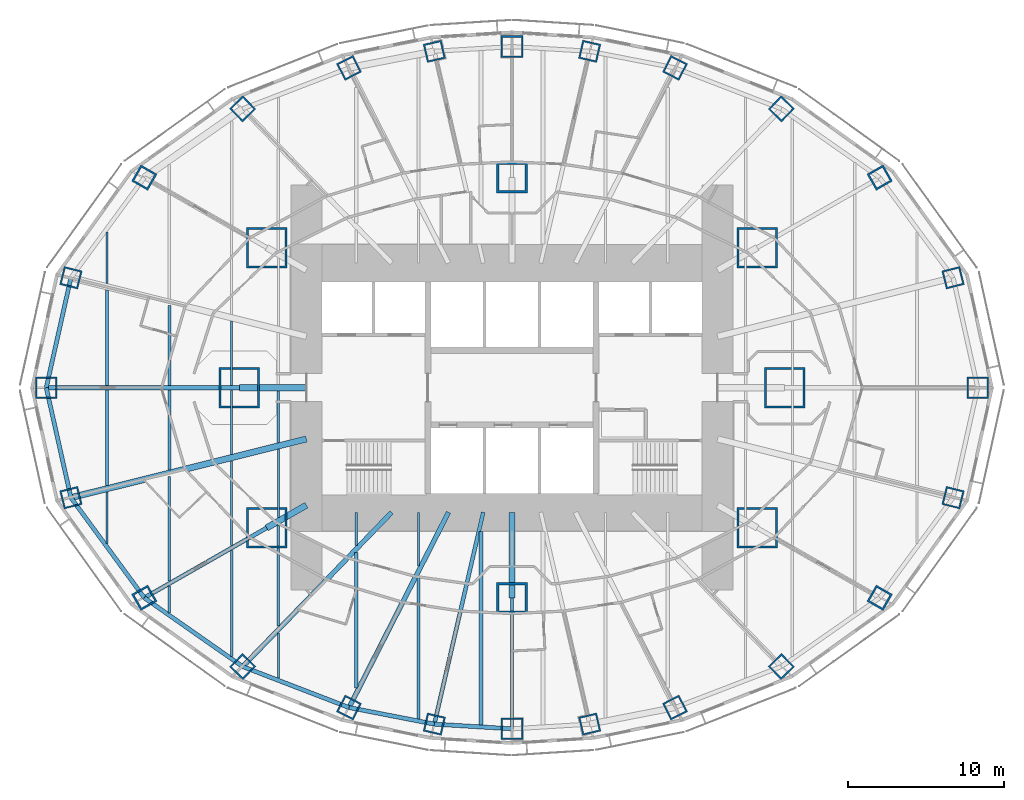
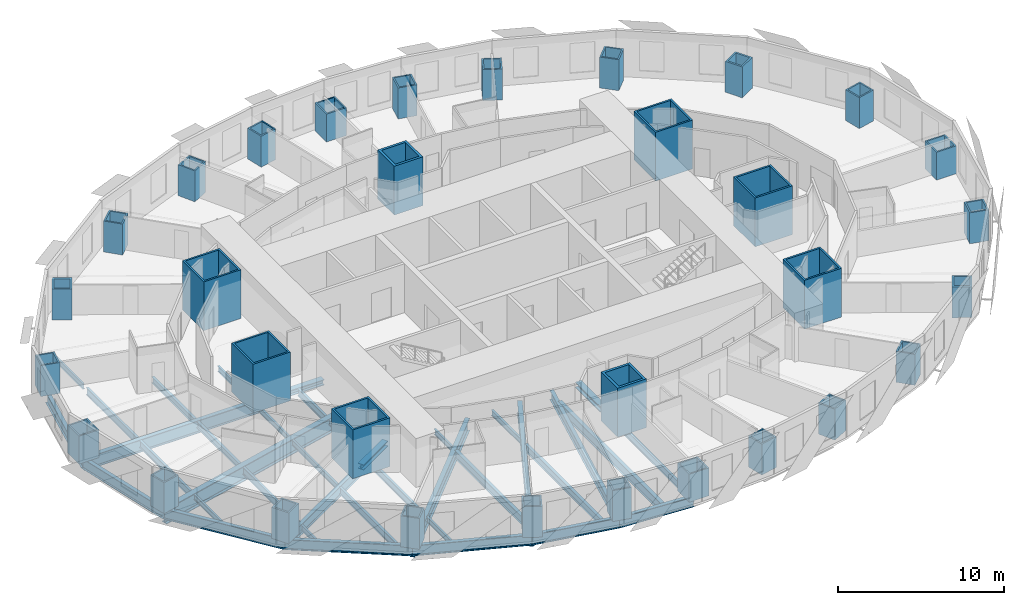
# One storey, part 1 of 15: 38 beams, 32 columns.
"""IFC4 building model written with IfcOpenShell, lengths in metres."""

from ifc_helpers import new_model, si_unit, direction, frame, origin, origin_2d, place, context, subcontext, project, spatial, rectangle, hollow_rectangle, i_section, extrude, material, material_profile, profile_set, type_object, element, save


model = new_model("IFC4")

# Units and contexts
model_context = context("Model", 3, precision=1e-05, world=origin(), true_north=direction((0.0, 1.0)))
body_context = subcontext(model_context, "Body", "Model", "MODEL_VIEW")
ifc_project = project(units=[si_unit("LENGTHUNIT", "METRE"), si_unit("AREAUNIT", "SQUARE_METRE"), si_unit("VOLUMEUNIT", "CUBIC_METRE"), si_unit("PLANEANGLEUNIT", "RADIAN"), si_unit("MASSUNIT", "GRAM", prefix="KILO")], contexts=[model_context])

# Site, building, storey
site_placement = place(None, origin())
site = spatial("IfcSite", under=ifc_project, at=site_placement, CompositionType="ELEMENT")
building_placement = place(site_placement, origin())
building = spatial("IfcBuilding", under=site, at=building_placement, Name="Lantaw Convention Tower", CompositionType="ELEMENT")
storey_placement = place(building_placement, frame((0.0, 0.0, 101.800048828125)))
storey = spatial("IfcBuildingStorey", under=building, at=storey_placement, Name="L24", CompositionType="ELEMENT", Elevation=101.800048828125)

# Columns
ifc_material_1 = material(Name="Steel EN 10025-3 S460N", Category="steel")
ifc_material_profile_1 = material_profile(ifc_material_1, hollow_rectangle(XDim=2.0, YDim=2.0, WallThickness=0.169921875, at=origin_2d()), Name="BOX2000X170")
ifc_material_2 = material(Name="Concrete C60/75", Category="concrete")
ifc_material_profile_2 = material_profile(ifc_material_2, rectangle(XDim=1.659912109375, YDim=1.659912109375, at=origin_2d()), Name="Concrete fill of BOX2000X170")
ifc_profile_set_1 = profile_set([ifc_material_profile_1, ifc_material_profile_2], Name="Steel EN 10025-3 S460N")
column_type_1 = type_object("IfcColumnType", Name="Column MC BOX2000X170", PredefinedType="COLUMN", material=ifc_profile_set_1)
for number, where, z_axis, x_axis, name in (
    (1, (0.0, 13.5, 0.0), (0.0, 0.0, 1.0), (1.0, 0.0, 0.0), "Mega column M3"),
    (2, (0.0, -13.5, 0.0), (0.0, 0.0, 1.0), (1.0, 0.0, 0.0), "Mega column M7"),
):
    element("IfcColumn", number, at=place(storey_placement, frame(where, z_axis=z_axis, x_axis=x_axis)), inside=storey, type_object=column_type_1, Name=name, PredefinedType="COLUMN", context=body_context, shape_type="SweptSolid", body=[
        extrude(hollow_rectangle(XDim=2.0, YDim=2.0, WallThickness=0.169921875, at=origin_2d()), origin(), (0.0, 0.0, 1.0), 3.599853515625),
    ])
ifc_material_profile_3 = material_profile(ifc_material_1, hollow_rectangle(XDim=2.60009765625, YDim=2.60009765625, WallThickness=0.1298828125, at=origin_2d()), Name="BOX2600X130")
ifc_material_profile_4 = material_profile(ifc_material_2, rectangle(XDim=2.340087890625, YDim=2.340087890625, at=origin_2d()), Name="Concrete fill of BOX2600X130")
ifc_profile_set_2 = profile_set([ifc_material_profile_3, ifc_material_profile_4], Name="Steel EN 10025-3 S460N")
column_type_2 = type_object("IfcColumnType", Name="Column MC BOX2600X130", PredefinedType="COLUMN", material=ifc_profile_set_2)
for number, where, z_axis, x_axis, name in (
    (3, (17.5, 0.0, 0.0), (0.0, 0.0, 1.0), (1.0, 0.0, 0.0), "Mega column M1"),
    (4, (15.75, 9.0, 0.0), (0.0, 0.0, 1.0), (1.0, 0.0, 0.0), "Mega column M2"),
    (5, (-15.75, 9.0, 0.0), (0.0, 0.0, 1.0), (1.0, 0.0, 0.0), "Mega column M4"),
    (6, (-17.5, 0.0, 0.0), (0.0, 0.0, 1.0), (1.0, 0.0, 0.0), "Mega column M5"),
    (7, (-15.75, -9.0, 0.0), (0.0, 0.0, 1.0), (1.0, 0.0, 0.0), "Mega column M6"),
    (8, (15.75, -9.0, 0.0), (0.0, 0.0, 1.0), (1.0, 0.0, 0.0), "Mega column M8"),
):
    element("IfcColumn", number, at=place(storey_placement, frame(where, z_axis=z_axis, x_axis=x_axis)), inside=storey, type_object=column_type_2, Name=name, PredefinedType="COLUMN", context=body_context, shape_type="SweptSolid", body=[
        extrude(hollow_rectangle(XDim=2.60009765625, YDim=2.60009765625, WallThickness=0.1298828125, at=origin_2d()), origin(), (0.0, 0.0, 1.0), 3.599853515625),
    ])
ifc_material_profile_5 = material_profile(ifc_material_1, hollow_rectangle(XDim=1.199951171875, YDim=1.199951171875, WallThickness=0.10009765625, at=origin_2d()), Name="BOX1200X100")
ifc_material_profile_6 = material_profile(ifc_material_2, rectangle(XDim=1.0, YDim=1.0, at=origin_2d()), Name="Concrete fill of BOX1200X100")
ifc_profile_set_3 = profile_set([ifc_material_profile_5, ifc_material_profile_6], Name="Steel EN 10025-3 S460N")
column_type_3 = type_object("IfcColumnType", Name="Column PC BOX1200X100", PredefinedType="COLUMN", material=ifc_profile_set_3)
for number, where, z_axis, x_axis, name in (
    (9, (28.31787109375, 7.060302734375, 0.0), (0.0, 0.0, 1.0), (0.970295726276, 0.2419218956, 0.0), "Perimeter column P2"),
    (10, (17.290771484375, 17.9052734375, 0.0), (0.0, 0.0, 1.0), (0.694658370459, 0.719339800339, 0.0), "Perimeter column P4"),
    (11, (10.462646484375, 20.533935546875, 0.0), (0.0, 0.0, 1.0), (0.45399049974, 0.891006524188, 0.0), "Perimeter column P5"),
    (12, (4.986328125, 21.59814453125, 0.0), (0.0, 0.0, 1.0), (0.224951054344, 0.974370064785, 0.0), "Perimeter column P6"),
    (13, (-4.986328125, 21.59814453125, 0.0), (0.0, 0.0, 1.0), (0.974370064785, 0.224951054344, 0.0), "Perimeter column P8"),
    (14, (-10.462646484375, 20.533935546875, 0.0), (0.0, 0.0, 1.0), (0.891006524188, 0.45399049974, 0.0), "Perimeter column P9"),
    (15, (-17.290771484375, 17.9052734375, 0.0), (0.0, 0.0, 1.0), (0.719339800339, 0.694658370459, 0.0), "Perimeter column P10"),
    (16, (-28.31787109375, 7.060302734375, 0.0), (0.0, 0.0, 1.0), (0.2419218956, 0.970295726276, 0.0), "Perimeter column P12"),
    (17, (-28.31787109375, -7.060302734375, 0.0), (0.0, 0.0, 1.0), (0.970295726276, 0.2419218956, 0.0), "Perimeter column P14"),
    (18, (-17.290771484375, -17.9052734375, 0.0), (0.0, 0.0, 1.0), (0.694658370459, 0.719339800339, 0.0), "Perimeter column P16"),
    (19, (-10.462646484375, -20.533935546875, 0.0), (0.0, 0.0, 1.0), (0.45399049974, 0.891006524188, 0.0), "Perimeter column P17"),
    (20, (-4.986328125, -21.59814453125, 0.0), (0.0, 0.0, 1.0), (0.224951054344, 0.974370064785, 0.0), "Perimeter column P18"),
    (21, (4.986328125, -21.59814453125, 0.0), (0.0, 0.0, 1.0), (0.974370064785, 0.224951054344, 0.0), "Perimeter column P20"),
    (22, (10.462646484375, -20.533935546875, 0.0), (0.0, 0.0, 1.0), (0.891006524188, 0.45399049974, 0.0), "Perimeter column P21"),
    (23, (17.290771484375, -17.9052734375, 0.0), (0.0, 0.0, 1.0), (0.719339800339, 0.694658370459, 0.0), "Perimeter column P22"),
    (24, (28.31787109375, -7.060302734375, 0.0), (0.0, 0.0, 1.0), (0.2419218956, 0.970295726276, 0.0), "Perimeter column P24"),
):
    element("IfcColumn", number, at=place(storey_placement, frame(where, z_axis=z_axis, x_axis=x_axis)), inside=storey, type_object=column_type_3, Name=name, PredefinedType="COLUMN", context=body_context, shape_type="SweptSolid", body=[
        extrude(hollow_rectangle(XDim=1.199951171875, YDim=1.199951171875, WallThickness=0.10009765625, at=origin_2d()), origin(), (0.0, 0.0, 1.0), 2.280029296875),
    ])
ifc_material_profile_7 = material_profile(ifc_material_1, hollow_rectangle(XDim=1.199951171875, YDim=1.199951171875, WallThickness=0.1201171875, at=origin_2d()), Name="BOX1200X120")
ifc_material_profile_8 = material_profile(ifc_material_2, rectangle(XDim=0.9599609375, YDim=0.9599609375, at=origin_2d()), Name="Concrete fill of BOX1200X120")
ifc_profile_set_4 = profile_set([ifc_material_profile_7, ifc_material_profile_8], Name="Steel EN 10025-3 S460N")
column_type_4 = type_object("IfcColumnType", Name="Column PC BOX1200X120", PredefinedType="COLUMN", material=ifc_profile_set_4)
for number, where, z_axis, x_axis, name in (
    (25, (23.60498046875, 13.488525390625, 0.0), (0.0, 0.0, 1.0), (0.86824298017, 0.496139221777, 0.0), "Perimeter column P3"),
    (26, (-23.60498046875, 13.488525390625, 0.0), (0.0, 0.0, 1.0), (0.496139221777, 0.86824298017, 0.0), "Perimeter column P11"),
    (27, (-23.60498046875, -13.488525390625, 0.0), (0.0, 0.0, 1.0), (0.86824298017, 0.496139221777, 0.0), "Perimeter column P15"),
    (28, (23.60498046875, -13.488525390625, 0.0), (0.0, 0.0, 1.0), (0.496139221777, 0.86824298017, 0.0), "Perimeter column P23"),
):
    element("IfcColumn", number, at=place(storey_placement, frame(where, z_axis=z_axis, x_axis=x_axis)), inside=storey, type_object=column_type_4, Name=name, PredefinedType="COLUMN", context=body_context, shape_type="SweptSolid", body=[
        extrude(hollow_rectangle(XDim=1.199951171875, YDim=1.199951171875, WallThickness=0.1201171875, at=origin_2d()), origin(), (0.0, 0.0, 1.0), 2.280029296875),
    ])
ifc_material_profile_9 = material_profile(ifc_material_1, hollow_rectangle(XDim=1.39990234375, YDim=1.39990234375, WallThickness=0.10009765625, at=origin_2d()), Name="BOX1400X100")
ifc_material_profile_10 = material_profile(ifc_material_2, rectangle(XDim=1.199951171875, YDim=1.199951171875, at=origin_2d()), Name="Concrete fill of BOX1400X100")
ifc_profile_set_5 = profile_set([ifc_material_profile_9, ifc_material_profile_10], Name="Steel EN 10025-3 S460N")
column_type_5 = type_object("IfcColumnType", Name="Column PC BOX1400X100", PredefinedType="COLUMN", material=ifc_profile_set_5)
for number, where, z_axis, x_axis, name in (
    (29, (29.89990234375, 0.0, 0.0), (0.0, 0.0, 1.0), (1.0, 0.0, 0.0), "Perimeter column P1"),
    (30, (0.0, 21.89990234375, 0.0), (0.0, 0.0, 1.0), (1.0, 0.0, 0.0), "Perimeter column P7"),
    (31, (-29.89990234375, 0.0, 0.0), (0.0, 0.0, 1.0), (1.0, 0.0, 0.0), "Perimeter column P13"),
    (32, (0.0, -21.89990234375, 0.0), (0.0, 0.0, 1.0), (1.0, 0.0, 0.0), "Perimeter column P19"),
):
    element("IfcColumn", number, at=place(storey_placement, frame(where, z_axis=z_axis, x_axis=x_axis)), inside=storey, type_object=column_type_5, Name=name, PredefinedType="COLUMN", context=body_context, shape_type="SweptSolid", body=[
        extrude(hollow_rectangle(XDim=1.39990234375, YDim=1.39990234375, WallThickness=0.10009765625, at=origin_2d()), origin(), (0.0, 0.0, 1.0), 2.06005859375),
    ])

# Beams
ifc_material_3 = material(Name="Steel ASTM A992", Category="steel")
ifc_material_profile_11 = material_profile(ifc_material_3, i_section(OverallWidth=0.2666015625, OverallDepth=0.76953125, WebThickness=0.015625, FlangeThickness=0.025390625, FilletRadius=0.0126953125, at=origin_2d()), Name="W30X132")
ifc_profile_set_6 = profile_set([ifc_material_profile_11], Name="Steel ASTM A992")
beam_type_1 = type_object("IfcBeamType", Name="Beam E W30X132", PredefinedType="SPANDREL", material=ifc_profile_set_6)
for number, where, z_axis, x_axis, name in (
    (33, (-28.31787109375, 7.060302734375, -0.534912109375), (-0.218652184873, -0.975802860239, 0.0), (0.975802860239, -0.218652184873, 0.0), "Edge beam 12"),
    (34, (-29.89990234375, 0.0, -0.534912109375), (0.218652184873, -0.975802860239, 0.0), (0.975802860239, 0.218652184873, 0.0), "Edge beam 13"),
):
    element("IfcBeam", number, at=place(storey_placement, frame(where, z_axis=z_axis, x_axis=x_axis)), inside=storey, type_object=beam_type_1, Name=name, PredefinedType="SPANDREL", context=body_context, shape_type="SweptSolid", body=[
        extrude(i_section(OverallWidth=0.2666015625, OverallDepth=0.76953125, WebThickness=0.015625, FlangeThickness=0.025390625, FilletRadius=0.0126953125, at=origin_2d()), origin(), (0.0, 0.0, 1.0), 7.2353515625),
    ])
beam_1_placement = place(storey_placement, frame((-28.31787109375, -7.060302734375, -0.534912109375), z_axis=(0.591270709086, -0.806473154281, 0.0), x_axis=(0.806473154281, 0.591270709086, 0.0)))
element("IfcBeam", 35, at=beam_1_placement, inside=storey, type_object=beam_type_1, Name="Edge beam 14", PredefinedType="SPANDREL", context=body_context, shape_type="SweptSolid", body=[
    extrude(i_section(OverallWidth=0.2666015625, OverallDepth=0.76953125, WebThickness=0.015625, FlangeThickness=0.025390625, FilletRadius=0.0126953125, at=origin_2d()), origin(), (0.0, 0.0, 1.0), 7.970703125),
])
beam_2_placement = place(storey_placement, frame((-23.60498046875, -13.488525390625, -0.534912109375), z_axis=(0.81942686407, -0.57318375277, 0.0), x_axis=(0.57318375277, 0.81942686407, 0.0)))
element("IfcBeam", 36, at=beam_2_placement, inside=storey, type_object=beam_type_1, Name="Edge beam 15", PredefinedType="SPANDREL", context=body_context, shape_type="SweptSolid", body=[
    extrude(i_section(OverallWidth=0.2666015625, OverallDepth=0.76953125, WebThickness=0.015625, FlangeThickness=0.025390625, FilletRadius=0.0126953125, at=origin_2d()), origin(), (0.0, 0.0, 1.0), 7.70556640625),
])
beam_3_placement = place(storey_placement, frame((-17.290771484375, -17.9052734375, -0.534912109375), z_axis=(0.933232900641, -0.359271976588, 0.0), x_axis=(0.359271976588, 0.933232900641, 0.0)))
element("IfcBeam", 37, at=beam_3_placement, inside=storey, type_object=beam_type_1, Name="Edge beam 16", PredefinedType="SPANDREL", context=body_context, shape_type="SweptSolid", body=[
    extrude(i_section(OverallWidth=0.2666015625, OverallDepth=0.76953125, WebThickness=0.015625, FlangeThickness=0.025390625, FilletRadius=0.0126953125, at=origin_2d()), origin(), (0.0, 0.0, 1.0), 7.316650390625),
])
beam_4_placement = place(storey_placement, frame((-10.462646484375, -20.533935546875, -0.534912109375), z_axis=(0.981636565323, -0.190760723474, 0.0), x_axis=(0.190760723474, 0.981636565323, 0.0)))
element("IfcBeam", 38, at=beam_4_placement, inside=storey, type_object=beam_type_1, Name="Edge beam 17", PredefinedType="SPANDREL", context=body_context, shape_type="SweptSolid", body=[
    extrude(i_section(OverallWidth=0.2666015625, OverallDepth=0.76953125, WebThickness=0.015625, FlangeThickness=0.025390625, FilletRadius=0.0126953125, at=origin_2d()), origin(), (0.0, 0.0, 1.0), 5.578857421875),
])
beam_5_placement = place(storey_placement, frame((-4.986328125, -21.59814453125, -0.534912109375), z_axis=(0.998173858406, -0.060406526096, 0.0), x_axis=(0.060406526096, 0.998173858406, 0.0)))
element("IfcBeam", 39, at=beam_5_placement, inside=storey, type_object=beam_type_1, Name="Edge beam 18", PredefinedType="SPANDREL", context=body_context, shape_type="SweptSolid", body=[
    extrude(i_section(OverallWidth=0.2666015625, OverallDepth=0.76953125, WebThickness=0.015625, FlangeThickness=0.025390625, FilletRadius=0.0126953125, at=origin_2d()), origin(), (0.0, 0.0, 1.0), 4.995361328125),
])
ifc_material_profile_12 = material_profile(ifc_material_3, i_section(OverallWidth=0.1650390625, OverallDepth=0.52587890625, WebThickness=0.0087890625, FlangeThickness=0.011474609375, FilletRadius=0.0126953125, at=origin_2d()), Name="W21X44")
ifc_profile_set_7 = profile_set([ifc_material_profile_12], Name="Steel ASTM A992")
beam_type_2 = type_object("IfcBeamType", Name="Beam G W21X44", PredefinedType="BEAM", material=ifc_profile_set_7)
beam_6_placement = place(storey_placement, frame((0.0, -13.5, -0.412841796875), z_axis=(0.0, -1.0, 0.0), x_axis=(1.0, 0.0, 0.0)))
element("IfcBeam", 40, at=beam_6_placement, inside=storey, type_object=beam_type_2, Name="Floor girder on ray 19", PredefinedType="BEAM", context=body_context, shape_type="SweptSolid", body=[
    extrude(i_section(OverallWidth=0.1650390625, OverallDepth=0.52587890625, WebThickness=0.0087890625, FlangeThickness=0.011474609375, FilletRadius=0.0126953125, at=origin_2d()), origin(), (0.0, 0.0, 1.0), 8.39990234375),
])
ifc_material_profile_13 = material_profile(ifc_material_3, i_section(OverallWidth=0.25390625, OverallDepth=0.683349609375, WebThickness=0.012451171875, FlangeThickness=0.01904296875, FilletRadius=0.01513671875, at=origin_2d()), Name="W27X94")
ifc_profile_set_8 = profile_set([ifc_material_profile_13], Name="Steel ASTM A992")
beam_type_3 = type_object("IfcBeamType", Name="Beam G W27X94", PredefinedType="BEAM", material=ifc_profile_set_8)
beam_7_placement = place(storey_placement, frame((-1.846923828125, -8.0, -0.49169921875), z_axis=(-0.224952773175, -0.97436966796, 0.0), x_axis=(0.97436966796, -0.224952773175, 0.0)))
element("IfcBeam", 41, at=beam_7_placement, inside=storey, type_object=beam_type_3, Name="Floor girder on ray 18", PredefinedType="BEAM", context=body_context, shape_type="SweptSolid", body=[
    extrude(i_section(OverallWidth=0.25390625, OverallDepth=0.683349609375, WebThickness=0.012451171875, FlangeThickness=0.01904296875, FilletRadius=0.01513671875, at=origin_2d()), origin(), (0.0, 0.0, 1.0), 13.955810546875),
])
ifc_material_profile_14 = material_profile(ifc_material_3, i_section(OverallWidth=0.2666015625, OverallDepth=0.7568359375, WebThickness=0.013916015625, FlangeThickness=0.019287109375, FilletRadius=0.0126953125, at=origin_2d()), Name="W30X108")
ifc_profile_set_9 = profile_set([ifc_material_profile_14], Name="Steel ASTM A992")
beam_type_4 = type_object("IfcBeamType", Name="Beam G W30X108", PredefinedType="BEAM", material=ifc_profile_set_9)
beam_8_placement = place(storey_placement, frame((-15.75, -9.0, -0.528564453125), z_axis=(-0.868244802791, -0.496136032179, 0.0), x_axis=(0.496136032179, -0.868244802791, 0.0)))
element("IfcBeam", 42, at=beam_8_placement, inside=storey, type_object=beam_type_4, Name="Floor girder on ray 15", PredefinedType="BEAM", context=body_context, shape_type="SweptSolid", body=[
    extrude(i_section(OverallWidth=0.2666015625, OverallDepth=0.7568359375, WebThickness=0.013916015625, FlangeThickness=0.019287109375, FilletRadius=0.0126953125, at=origin_2d()), origin(), (0.0, 0.0, 1.0), 9.046875),
])
ifc_material_profile_15 = material_profile(ifc_material_3, i_section(OverallWidth=0.307373046875, OverallDepth=0.922119140625, WebThickness=0.018310546875, FlangeThickness=0.030029296875, FilletRadius=0.0126953125, at=origin_2d()), Name="W36X182")
ifc_profile_set_10 = profile_set([ifc_material_profile_15], Name="Steel ASTM A992")
beam_type_5 = type_object("IfcBeamType", Name="Beam G W36X182", PredefinedType="BEAM", material=ifc_profile_set_10)
beam_9_placement = place(storey_placement, frame((-17.5, 0.0, -0.611083984375), z_axis=(-1.0, 0.0, 0.0), x_axis=(0.0, -1.0, 0.0)))
element("IfcBeam", 43, at=beam_9_placement, inside=storey, type_object=beam_type_5, Name="Floor girder on ray 13", PredefinedType="BEAM", context=body_context, shape_type="SweptSolid", body=[
    extrude(i_section(OverallWidth=0.307373046875, OverallDepth=0.922119140625, WebThickness=0.018310546875, FlangeThickness=0.030029296875, FilletRadius=0.0126953125, at=origin_2d()), origin(), (0.0, 0.0, 1.0), 12.39990234375),
])
beam_10_placement = place(storey_placement, frame((-7.7255859375, -8.0, -0.611083984375), z_axis=(-0.694649884291, -0.719347995239, 0.0), x_axis=(0.719347995239, -0.694649884291, 0.0)))
element("IfcBeam", 44, at=beam_10_placement, inside=storey, type_object=beam_type_5, Name="Floor girder on ray 16", PredefinedType="BEAM", context=body_context, shape_type="SweptSolid", body=[
    extrude(i_section(OverallWidth=0.307373046875, OverallDepth=0.922119140625, WebThickness=0.018310546875, FlangeThickness=0.030029296875, FilletRadius=0.0126953125, at=origin_2d()), origin(), (0.0, 0.0, 1.0), 13.769775390625),
])
beam_11_placement = place(storey_placement, frame((-4.076171875, -8.0, -0.611083984375), z_axis=(-0.453997016122, -0.891003203896, 0.0), x_axis=(0.891003203896, -0.453997016122, 0.0)))
element("IfcBeam", 45, at=beam_11_placement, inside=storey, type_object=beam_type_5, Name="Floor girder on ray 17", PredefinedType="BEAM", context=body_context, shape_type="SweptSolid", body=[
    extrude(i_section(OverallWidth=0.307373046875, OverallDepth=0.922119140625, WebThickness=0.018310546875, FlangeThickness=0.030029296875, FilletRadius=0.0126953125, at=origin_2d()), origin(), (0.0, 0.0, 1.0), 14.067138671875),
])
ifc_material_profile_16 = material_profile(ifc_material_3, i_section(OverallWidth=0.40380859375, OverallDepth=1.11767578125, WebThickness=0.026123046875, FlangeThickness=0.044921875, FilletRadius=0.02001953125, at=origin_2d()), Name="W44X335")
ifc_profile_set_11 = profile_set([ifc_material_profile_16], Name="Steel ASTM A992")
beam_type_6 = type_object("IfcBeamType", Name="Beam G W44X335", PredefinedType="BEAM", material=ifc_profile_set_11)
beam_12_placement = place(storey_placement, frame((-13.199951171875, -3.291015625, -0.708740234375), z_axis=(-0.970296233567, -0.241919860957, 0.0), x_axis=(0.241919860957, -0.970296233567, 0.0)))
element("IfcBeam", 46, at=beam_12_placement, inside=storey, type_object=beam_type_6, Name="Floor girder on ray 14", PredefinedType="BEAM", context=body_context, shape_type="SweptSolid", body=[
    extrude(i_section(OverallWidth=0.40380859375, OverallDepth=1.11767578125, WebThickness=0.026123046875, FlangeThickness=0.044921875, FilletRadius=0.02001953125, at=origin_2d()), origin(), (0.0, 0.0, 1.0), 15.580810546875),
])
ifc_material_profile_17 = material_profile(ifc_material_3, i_section(OverallWidth=0.40380859375, OverallDepth=0.406494140625, WebThickness=0.027099609375, FlangeThickness=0.043701171875, FilletRadius=0.01513671875, at=origin_2d()), Name="W14X233")
ifc_profile_set_12 = profile_set([ifc_material_profile_17], Name="Steel ASTM A992")
beam_type_7 = type_object("IfcBeamType", Name="Beam GM W14X233", PredefinedType="BEAM", material=ifc_profile_set_12)
beam_13_placement = place(storey_placement, frame((-13.199951171875, 0.0, -0.353271484375), z_axis=(-1.0, 0.0, 0.0), x_axis=(0.0, -1.0, 0.0)))
element("IfcBeam", 47, at=beam_13_placement, inside=storey, type_object=beam_type_7, Name="Core link beam on ray 13", PredefinedType="BEAM", context=body_context, shape_type="SweptSolid", body=[
    extrude(i_section(OverallWidth=0.40380859375, OverallDepth=0.406494140625, WebThickness=0.027099609375, FlangeThickness=0.043701171875, FilletRadius=0.01513671875, at=origin_2d()), origin(), (0.0, 0.0, 1.0), 4.300048828125),
])
beam_14_placement = place(storey_placement, frame((-13.199951171875, -7.54296875, -0.353271484375), z_axis=(-0.868263603466, -0.496103129295, 0.0), x_axis=(0.496103129295, -0.868263603466, 0.0)))
element("IfcBeam", 48, at=beam_14_placement, inside=storey, type_object=beam_type_7, Name="Core link beam on ray 15", PredefinedType="BEAM", context=body_context, shape_type="SweptSolid", body=[
    extrude(i_section(OverallWidth=0.40380859375, OverallDepth=0.406494140625, WebThickness=0.027099609375, FlangeThickness=0.043701171875, FilletRadius=0.01513671875, at=origin_2d()), origin(), (0.0, 0.0, 1.0), 2.93701171875),
])
beam_15_placement = place(storey_placement, frame((0.0, -8.0, -0.353271484375), z_axis=(0.0, -1.0, 0.0), x_axis=(1.0, 0.0, 0.0)))
element("IfcBeam", 49, at=beam_15_placement, inside=storey, type_object=beam_type_7, Name="Core link beam on ray 19", PredefinedType="BEAM", context=body_context, shape_type="SweptSolid", body=[
    extrude(i_section(OverallWidth=0.40380859375, OverallDepth=0.406494140625, WebThickness=0.027099609375, FlangeThickness=0.043701171875, FilletRadius=0.01513671875, at=origin_2d()), origin(), (0.0, 0.0, 1.0), 5.5),
])
ifc_material_profile_18 = material_profile(ifc_material_3, i_section(OverallWidth=0.140380859375, OverallDepth=0.40380859375, WebThickness=0.007080078125, FlangeThickness=0.01123046875, FilletRadius=0.01025390625, at=origin_2d()), Name="W16X31")
ifc_profile_set_13 = profile_set([ifc_material_profile_18], Name="Steel ASTM A992")
beam_type_8 = type_object("IfcBeamType", Name="Beam J W16X31", PredefinedType="JOIST", material=ifc_profile_set_13)
for number, where, z_axis, x_axis, name in (
    (50, (-26.0, -9.996337890625, -0.35205078125), (0.0, 1.0, 0.0), (-1.0, 0.0, 0.0), "Floor joist"),
    (51, (-26.0, 6.690673828125, -0.35205078125), (0.0, 1.0, 0.0), (-1.0, 0.0, 0.0), "Floor joist"),
):
    element("IfcBeam", number, at=place(storey_placement, frame(where, z_axis=z_axis, x_axis=x_axis)), inside=storey, type_object=beam_type_8, Name=name, PredefinedType="JOIST", context=body_context, shape_type="SweptSolid", body=[
        extrude(i_section(OverallWidth=0.140380859375, OverallDepth=0.40380859375, WebThickness=0.007080078125, FlangeThickness=0.01123046875, FilletRadius=0.01025390625, at=origin_2d()), origin(), (0.0, 0.0, 1.0), 3.3056640625),
    ])
beam_16_placement = place(storey_placement, frame((-22.0, -14.448486328125, -0.35205078125), z_axis=(0.0, 1.0, 0.0), x_axis=(-1.0, 0.0, 0.0)))
element("IfcBeam", 52, at=beam_16_placement, inside=storey, type_object=beam_type_8, Name="Floor joist", PredefinedType="JOIST", context=body_context, shape_type="SweptSolid", body=[
    extrude(i_section(OverallWidth=0.140380859375, OverallDepth=0.40380859375, WebThickness=0.007080078125, FlangeThickness=0.01123046875, FilletRadius=0.01025390625, at=origin_2d()), origin(), (0.0, 0.0, 1.0), 1.723388671875),
])
beam_17_placement = place(storey_placement, frame((-18.0, -10.132080078125, -0.35205078125), z_axis=(0.0, 1.0, 0.0), x_axis=(-1.0, 0.0, 0.0)))
element("IfcBeam", 53, at=beam_17_placement, inside=storey, type_object=beam_type_8, Name="Floor joist", PredefinedType="JOIST", context=body_context, shape_type="SweptSolid", body=[
    extrude(i_section(OverallWidth=0.140380859375, OverallDepth=0.40380859375, WebThickness=0.007080078125, FlangeThickness=0.01123046875, FilletRadius=0.01025390625, at=origin_2d()), origin(), (0.0, 0.0, 1.0), 5.43603515625),
])
for number, where, z_axis, x_axis, name in (
    (54, (-18.0, -4.27978515625, -0.35205078125), (0.0, 1.0, 0.0), (-1.0, 0.0, 0.0), "Floor joist"),
    (55, (-18.0, 0.153564453125, -0.35205078125), (0.0, 1.0, 0.0), (-1.0, 0.0, 0.0), "Floor joist"),
):
    element("IfcBeam", number, at=place(storey_placement, frame(where, z_axis=z_axis, x_axis=x_axis)), inside=storey, type_object=beam_type_8, Name=name, PredefinedType="JOIST", context=body_context, shape_type="SweptSolid", body=[
        extrude(i_section(OverallWidth=0.140380859375, OverallDepth=0.40380859375, WebThickness=0.007080078125, FlangeThickness=0.01123046875, FilletRadius=0.01025390625, at=origin_2d()), origin(), (0.0, 0.0, 1.0), 4.126220703125),
    ])
beam_18_placement = place(storey_placement, frame((-15.0, -18.644287109375, -0.35205078125), z_axis=(0.0, 1.0, 0.0), x_axis=(-1.0, 0.0, 0.0)))
element("IfcBeam", 56, at=beam_18_placement, inside=storey, type_object=beam_type_8, Name="Floor joist", PredefinedType="JOIST", context=body_context, shape_type="SweptSolid", body=[
    extrude(i_section(OverallWidth=0.140380859375, OverallDepth=0.40380859375, WebThickness=0.007080078125, FlangeThickness=0.01123046875, FilletRadius=0.01025390625, at=origin_2d()), origin(), (0.0, 0.0, 1.0), 2.89013671875),
])
beam_19_placement = place(storey_placement, frame((-15.0, -8.3388671875, -0.35205078125), z_axis=(0.0, 1.0, 0.0), x_axis=(-1.0, 0.0, 0.0)))
element("IfcBeam", 57, at=beam_19_placement, inside=storey, type_object=beam_type_8, Name="Floor joist", PredefinedType="JOIST", context=body_context, shape_type="SweptSolid", body=[
    extrude(i_section(OverallWidth=0.140380859375, OverallDepth=0.40380859375, WebThickness=0.007080078125, FlangeThickness=0.01123046875, FilletRadius=0.01025390625, at=origin_2d()), origin(), (0.0, 0.0, 1.0), 4.390869140625),
])
beam_20_placement = place(storey_placement, frame((-10.0, -10.134033203125, -0.35205078125), z_axis=(0.0, 1.0, 0.0), x_axis=(-1.0, 0.0, 0.0)))
element("IfcBeam", 58, at=beam_20_placement, inside=storey, type_object=beam_type_8, Name="Floor joist", PredefinedType="JOIST", context=body_context, shape_type="SweptSolid", body=[
    extrude(i_section(OverallWidth=0.140380859375, OverallDepth=0.40380859375, WebThickness=0.007080078125, FlangeThickness=0.01123046875, FilletRadius=0.01025390625, at=origin_2d()), origin(), (0.0, 0.0, 1.0), 2.134033203125),
])
beam_21_placement = place(storey_placement, frame((-6.0, -11.437255859375, -0.35205078125), z_axis=(0.0, 1.0, 0.0), x_axis=(-1.0, 0.0, 0.0)))
element("IfcBeam", 59, at=beam_21_placement, inside=storey, type_object=beam_type_8, Name="Floor joist", PredefinedType="JOIST", context=body_context, shape_type="SweptSolid", body=[
    extrude(i_section(OverallWidth=0.140380859375, OverallDepth=0.40380859375, WebThickness=0.007080078125, FlangeThickness=0.01123046875, FilletRadius=0.01025390625, at=origin_2d()), origin(), (0.0, 0.0, 1.0), 3.437255859375),
])
ifc_material_profile_19 = material_profile(ifc_material_3, i_section(OverallWidth=0.1904296875, OverallDepth=0.457275390625, WebThickness=0.009033203125, FlangeThickness=0.014404296875, FilletRadius=0.01025390625, at=origin_2d()), Name="W18X50")
ifc_profile_set_14 = profile_set([ifc_material_profile_19], Name="Steel ASTM A992")
beam_type_9 = type_object("IfcBeamType", Name="Beam J W18X50", PredefinedType="JOIST", material=ifc_profile_set_14)
for number, where, z_axis, x_axis, name in (
    (60, (-22.0, -5.277099609375, -0.378662109375), (0.0, 1.0, 0.0), (-1.0, 0.0, 0.0), "Floor joist"),
    (61, (-22.0, 0.153564453125, -0.378662109375), (0.0, 1.0, 0.0), (-1.0, 0.0, 0.0), "Floor joist"),
):
    element("IfcBeam", number, at=place(storey_placement, frame(where, z_axis=z_axis, x_axis=x_axis)), inside=storey, type_object=beam_type_9, Name=name, PredefinedType="JOIST", context=body_context, shape_type="SweptSolid", body=[
        extrude(i_section(OverallWidth=0.1904296875, OverallDepth=0.457275390625, WebThickness=0.009033203125, FlangeThickness=0.014404296875, FilletRadius=0.01025390625, at=origin_2d()), origin(), (0.0, 0.0, 1.0), 5.12353515625),
    ])
ifc_material_profile_20 = material_profile(ifc_material_3, i_section(OverallWidth=0.1650390625, OverallDepth=0.52587890625, WebThickness=0.0087890625, FlangeThickness=0.011474609375, FilletRadius=0.0126953125, at=origin_2d()), Name="W21X44")
ifc_profile_set_15 = profile_set([ifc_material_profile_20], Name="Steel ASTM A992")
beam_type_10 = type_object("IfcBeamType", Name="Beam J W21X44", PredefinedType="JOIST", material=ifc_profile_set_15)
beam_22_placement = place(storey_placement, frame((-22.0, -12.41796875, -0.412841796875), z_axis=(0.0, 1.0, 0.0), x_axis=(-1.0, 0.0, 0.0)))
element("IfcBeam", 62, at=beam_22_placement, inside=storey, type_object=beam_type_10, Name="Floor joist", PredefinedType="JOIST", context=body_context, shape_type="SweptSolid", body=[
    extrude(i_section(OverallWidth=0.1650390625, OverallDepth=0.52587890625, WebThickness=0.0087890625, FlangeThickness=0.011474609375, FilletRadius=0.0126953125, at=origin_2d()), origin(), (0.0, 0.0, 1.0), 6.724609375),
])
beam_23_placement = place(storey_placement, frame((-18.0, -17.246337890625, -0.412841796875), z_axis=(0.0, 1.0, 0.0), x_axis=(-1.0, 0.0, 0.0)))
element("IfcBeam", 63, at=beam_23_placement, inside=storey, type_object=beam_type_10, Name="Floor joist", PredefinedType="JOIST", context=body_context, shape_type="SweptSolid", body=[
    extrude(i_section(OverallWidth=0.1650390625, OverallDepth=0.52587890625, WebThickness=0.0087890625, FlangeThickness=0.011474609375, FilletRadius=0.0126953125, at=origin_2d()), origin(), (0.0, 0.0, 1.0), 6.80712890625),
])
beam_24_placement = place(storey_placement, frame((-15.0, -15.311767578125, -0.412841796875), z_axis=(0.0, 1.0, 0.0), x_axis=(-1.0, 0.0, 0.0)))
element("IfcBeam", 64, at=beam_24_placement, inside=storey, type_object=beam_type_10, Name="Floor joist", PredefinedType="JOIST", context=body_context, shape_type="SweptSolid", body=[
    extrude(i_section(OverallWidth=0.1650390625, OverallDepth=0.52587890625, WebThickness=0.0087890625, FlangeThickness=0.011474609375, FilletRadius=0.0126953125, at=origin_2d()), origin(), (0.0, 0.0, 1.0), 6.5078125),
])
ifc_material_profile_21 = material_profile(ifc_material_3, i_section(OverallWidth=0.165771484375, OverallDepth=0.5283203125, WebThickness=0.009765625, FlangeThickness=0.013671875, FilletRadius=0.012939453125, at=origin_2d()), Name="W21X50")
ifc_profile_set_16 = profile_set([ifc_material_profile_21], Name="Steel ASTM A992")
beam_type_11 = type_object("IfcBeamType", Name="Beam J W21X50", PredefinedType="JOIST", material=ifc_profile_set_16)
for number, where, z_axis, x_axis, name in (
    (65, (-26.0, -6.2744140625, -0.414306640625), (0.0, 1.0, 0.0), (-1.0, 0.0, 0.0), "Floor joist"),
    (66, (-26.0, 0.153564453125, -0.414306640625), (0.0, 1.0, 0.0), (-1.0, 0.0, 0.0), "Floor joist"),
):
    element("IfcBeam", number, at=place(storey_placement, frame(where, z_axis=z_axis, x_axis=x_axis)), inside=storey, type_object=beam_type_11, Name=name, PredefinedType="JOIST", context=body_context, shape_type="SweptSolid", body=[
        extrude(i_section(OverallWidth=0.165771484375, OverallDepth=0.5283203125, WebThickness=0.009765625, FlangeThickness=0.013671875, FilletRadius=0.012939453125, at=origin_2d()), origin(), (0.0, 0.0, 1.0), 6.120849609375),
    ])
beam_25_placement = place(storey_placement, frame((-15.0, -3.53173828125, -0.414306640625), z_axis=(0.0, 1.0, 0.0), x_axis=(-1.0, 0.0, 0.0)))
element("IfcBeam", 67, at=beam_25_placement, inside=storey, type_object=beam_type_11, Name="Floor joist", PredefinedType="JOIST", context=body_context, shape_type="SweptSolid", body=[
    extrude(i_section(OverallWidth=0.165771484375, OverallDepth=0.5283203125, WebThickness=0.009765625, FlangeThickness=0.013671875, FilletRadius=0.012939453125, at=origin_2d()), origin(), (0.0, 0.0, 1.0), 3.329833984375),
])
ifc_material_profile_22 = material_profile(ifc_material_3, i_section(OverallWidth=0.2099609375, OverallDepth=0.535888671875, WebThickness=0.010986328125, FlangeThickness=0.017333984375, FilletRadius=0.012939453125, at=origin_2d()), Name="W21X68")
ifc_profile_set_17 = profile_set([ifc_material_profile_22], Name="Steel ASTM A992")
beam_type_12 = type_object("IfcBeamType", Name="Beam J W21X68", PredefinedType="JOIST", material=ifc_profile_set_17)
beam_26_placement = place(storey_placement, frame((-6.0, -21.26513671875, -0.41796875), z_axis=(0.0, 1.0, 0.0), x_axis=(-1.0, 0.0, 0.0)))
element("IfcBeam", 68, at=beam_26_placement, inside=storey, type_object=beam_type_12, Name="Floor joist", PredefinedType="JOIST", context=body_context, shape_type="SweptSolid", body=[
    extrude(i_section(OverallWidth=0.2099609375, OverallDepth=0.535888671875, WebThickness=0.010986328125, FlangeThickness=0.017333984375, FilletRadius=0.012939453125, at=origin_2d()), origin(), (0.0, 0.0, 1.0), 9.15087890625),
])
ifc_material_profile_23 = material_profile(ifc_material_3, i_section(OverallWidth=0.227783203125, OverallDepth=0.60205078125, WebThickness=0.010498046875, FlangeThickness=0.014892578125, FilletRadius=0.012939453125, at=origin_2d()), Name="W24X68")
ifc_profile_set_18 = profile_set([ifc_material_profile_23], Name="Steel ASTM A992")
beam_type_13 = type_object("IfcBeamType", Name="Beam J W24X68", PredefinedType="JOIST", material=ifc_profile_set_18)
beam_27_placement = place(storey_placement, frame((-10.0, -19.28759765625, -0.450927734375), z_axis=(0.0, 1.0, 0.0), x_axis=(-1.0, 0.0, 0.0)))
element("IfcBeam", 69, at=beam_27_placement, inside=storey, type_object=beam_type_13, Name="Floor joist", PredefinedType="JOIST", context=body_context, shape_type="SweptSolid", body=[
    extrude(i_section(OverallWidth=0.227783203125, OverallDepth=0.60205078125, WebThickness=0.010498046875, FlangeThickness=0.014892578125, FilletRadius=0.012939453125, at=origin_2d()), origin(), (0.0, 0.0, 1.0), 8.711181640625),
])
ifc_material_profile_24 = material_profile(ifc_material_3, i_section(OverallWidth=0.25390625, OverallDepth=0.700927734375, WebThickness=0.015380859375, FlangeThickness=0.02783203125, FilletRadius=0.01513671875, at=origin_2d()), Name="W27X129")
ifc_profile_set_19 = profile_set([ifc_material_profile_24], Name="Steel ASTM A992")
beam_type_14 = type_object("IfcBeamType", Name="Beam J W27X129", PredefinedType="JOIST", material=ifc_profile_set_19)
beam_28_placement = place(storey_placement, frame((-2.0, -21.645263671875, -0.50048828125), z_axis=(0.0, 1.0, 0.0), x_axis=(-1.0, 0.0, 0.0)))
element("IfcBeam", 70, at=beam_28_placement, inside=storey, type_object=beam_type_14, Name="Floor joist", PredefinedType="JOIST", context=body_context, shape_type="SweptSolid", body=[
    extrude(i_section(OverallWidth=0.25390625, OverallDepth=0.700927734375, WebThickness=0.015380859375, FlangeThickness=0.02783203125, FilletRadius=0.01513671875, at=origin_2d()), origin(), (0.0, 0.0, 1.0), 12.417724609375),
])

save(model, "model.ifc")
